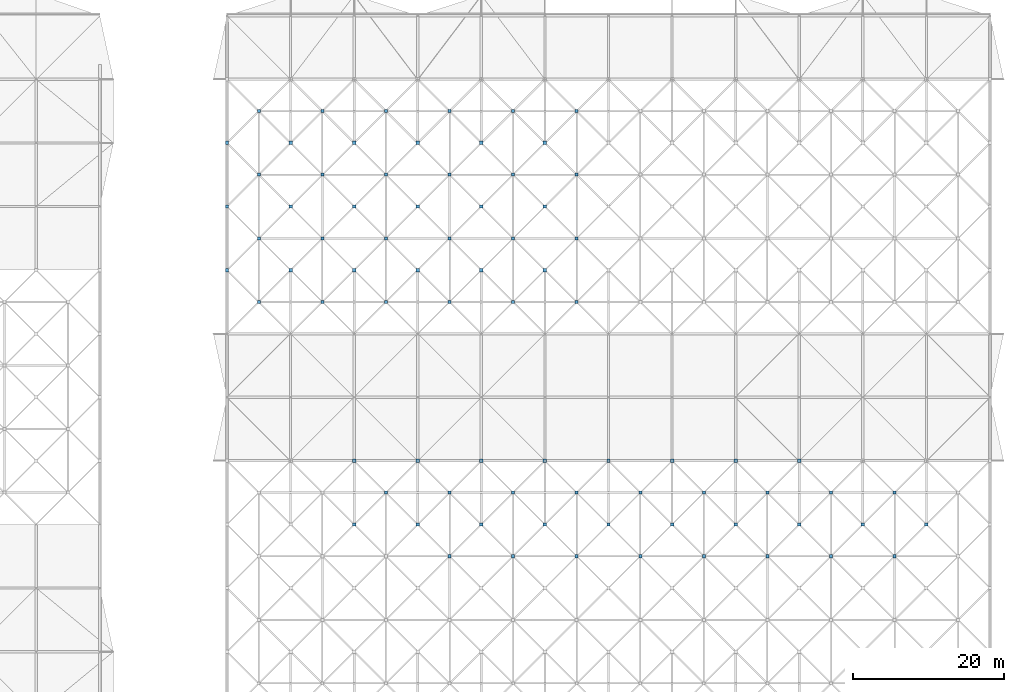
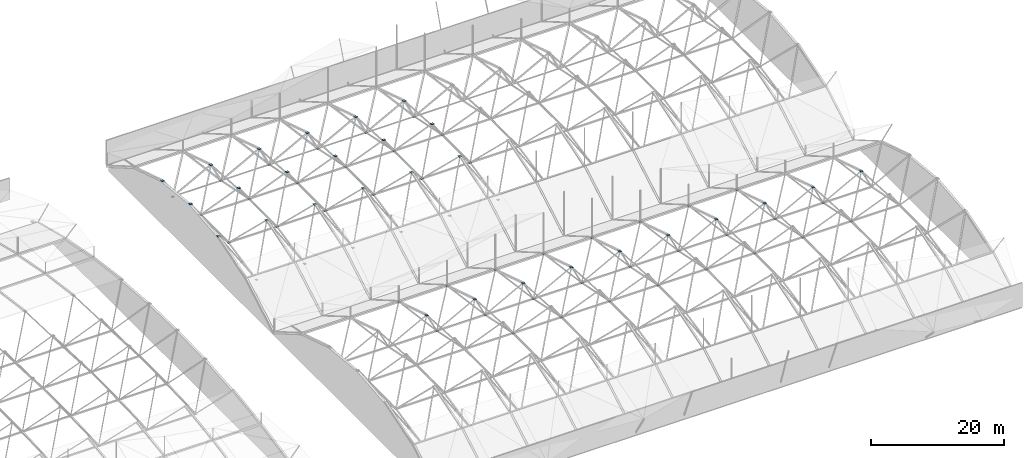
# One storey, part 106 of 111: 77 discrete accessories.
"""IFC4 building model written with IfcOpenShell, lengths in metres."""

from ifc_helpers import new_model, si_unit, direction, frame, origin, origin_2d, place, context, subcontext, project, spatial, rectangle, extrude, material, layer, layer_set, type_object, element, save


model = new_model("IFC4")

# Units and contexts
model_context = context("Model", 3, precision=1e-05, world=origin(), true_north=direction((0.0, 1.0)))
body_context = subcontext(model_context, "Body", "Model", "MODEL_VIEW")
ifc_project = project(units=[si_unit("LENGTHUNIT", "METRE"), si_unit("AREAUNIT", "SQUARE_METRE"), si_unit("VOLUMEUNIT", "CUBIC_METRE"), si_unit("PLANEANGLEUNIT", "RADIAN"), si_unit("MASSUNIT", "GRAM", prefix="KILO")], contexts=[model_context])

# Site, building, storey
site_placement = place(None, origin())
site = spatial("IfcSite", under=ifc_project, at=site_placement, CompositionType="ELEMENT")
building_placement = place(site_placement, origin())
building = spatial("IfcBuilding", under=site, at=building_placement, Name="Rain Tree Exposition and Congress Centre", CompositionType="ELEMENT")
storey_placement = place(building_placement, frame((0.0, 0.0, 19.5)))
storey = spatial("IfcBuildingStorey", under=building, at=storey_placement, Name="RF", CompositionType="ELEMENT", Elevation=19.5)

# Discrete accessories
ifc_material_1 = material(Name="Steel plate S355J2", Category="steel")
ifc_layer_1 = layer(ifc_material_1, 0.02001953125)
ifc_layer_set_1 = layer_set([ifc_layer_1], Name="Steel plate S355J2")
discrete_accessory_type_1 = type_object("IfcDiscreteAccessoryType", Name="Brace node plate 400x400x20", PredefinedType="BRACKET", material=ifc_layer_set_1)
for number, where, z_axis, x_axis, name in (
    (1, (172.199951171875, 130.199951171875, 2.678955078125), (0.0, 0.0, 1.0), (1.0, 0.0, 0.0), "Brace node plate 400"),
    (2, (180.60009765625, 130.199951171875, 2.678955078125), (0.0, 0.0, 1.0), (1.0, 0.0, 0.0), "Brace node plate 400"),
    (3, (189.0, 130.199951171875, 2.678955078125), (0.0, 0.0, 1.0), (1.0, 0.0, 0.0), "Brace node plate 400"),
    (4, (197.39990234375, 130.199951171875, 2.678955078125), (0.0, 0.0, 1.0), (1.0, 0.0, 0.0), "Brace node plate 400"),
    (5, (205.800048828125, 130.199951171875, 2.678955078125), (0.0, 0.0, 1.0), (1.0, 0.0, 0.0), "Brace node plate 400"),
    (6, (214.199951171875, 130.199951171875, 2.678955078125), (0.0, 0.0, 1.0), (1.0, 0.0, 0.0), "Brace node plate 400"),
    (7, (222.60009765625, 130.199951171875, 2.678955078125), (0.0, 0.0, 1.0), (1.0, 0.0, 0.0), "Brace node plate 400"),
    (8, (231.0, 130.199951171875, 2.678955078125), (0.0, 0.0, 1.0), (1.0, 0.0, 0.0), "Brace node plate 400"),
    (9, (163.800048828125, 138.60009765625, 0.955078125), (0.0, 0.0, 1.0), (1.0, 0.0, 0.0), "Brace node plate 400"),
    (10, (172.199951171875, 138.60009765625, 0.955078125), (0.0, 0.0, 1.0), (1.0, 0.0, 0.0), "Brace node plate 400"),
    (11, (180.60009765625, 138.60009765625, 0.955078125), (0.0, 0.0, 1.0), (1.0, 0.0, 0.0), "Brace node plate 400"),
    (12, (189.0, 138.60009765625, 0.955078125), (0.0, 0.0, 1.0), (1.0, 0.0, 0.0), "Brace node plate 400"),
    (13, (197.39990234375, 138.60009765625, 0.955078125), (0.0, 0.0, 1.0), (1.0, 0.0, 0.0), "Brace node plate 400"),
    (14, (205.800048828125, 138.60009765625, 0.955078125), (0.0, 0.0, 1.0), (1.0, 0.0, 0.0), "Brace node plate 400"),
    (15, (214.199951171875, 138.60009765625, 0.955078125), (0.0, 0.0, 1.0), (1.0, 0.0, 0.0), "Brace node plate 400"),
    (16, (222.60009765625, 138.60009765625, 0.955078125), (0.0, 0.0, 1.0), (1.0, 0.0, 0.0), "Brace node plate 400"),
    (17, (231.0, 138.60009765625, 0.955078125), (0.0, 0.0, 1.0), (1.0, 0.0, 0.0), "Brace node plate 400"),
    (18, (147.0, 163.800048828125, 0.955078125), (0.0, 0.0, 1.0), (1.0, 0.0, 0.0), "Brace node plate 400"),
    (19, (155.39990234375, 163.800048828125, 0.955078125), (0.0, 0.0, 1.0), (1.0, 0.0, 0.0), "Brace node plate 400"),
    (20, (163.800048828125, 163.800048828125, 0.955078125), (0.0, 0.0, 1.0), (1.0, 0.0, 0.0), "Brace node plate 400"),
    (21, (172.199951171875, 163.800048828125, 0.955078125), (0.0, 0.0, 1.0), (1.0, 0.0, 0.0), "Brace node plate 400"),
    (22, (180.60009765625, 163.800048828125, 0.955078125), (0.0, 0.0, 1.0), (1.0, 0.0, 0.0), "Brace node plate 400"),
    (23, (189.0, 163.800048828125, 0.955078125), (0.0, 0.0, 1.0), (1.0, 0.0, 0.0), "Brace node plate 400"),
    (24, (147.0, 172.199951171875, 2.678955078125), (0.0, 0.0, 1.0), (1.0, 0.0, 0.0), "Brace node plate 400"),
    (25, (155.39990234375, 172.199951171875, 2.678955078125), (0.0, 0.0, 1.0), (1.0, 0.0, 0.0), "Brace node plate 400"),
    (26, (163.800048828125, 172.199951171875, 2.678955078125), (0.0, 0.0, 1.0), (1.0, 0.0, 0.0), "Brace node plate 400"),
    (27, (172.199951171875, 172.199951171875, 2.678955078125), (0.0, 0.0, 1.0), (1.0, 0.0, 0.0), "Brace node plate 400"),
    (28, (180.60009765625, 172.199951171875, 2.678955078125), (0.0, 0.0, 1.0), (1.0, 0.0, 0.0), "Brace node plate 400"),
    (29, (189.0, 172.199951171875, 2.678955078125), (0.0, 0.0, 1.0), (1.0, 0.0, 0.0), "Brace node plate 400"),
    (30, (147.0, 180.60009765625, 2.678955078125), (0.0, 0.0, 1.0), (1.0, 0.0, 0.0), "Brace node plate 400"),
    (31, (155.39990234375, 180.60009765625, 2.678955078125), (0.0, 0.0, 1.0), (1.0, 0.0, 0.0), "Brace node plate 400"),
    (32, (163.800048828125, 180.60009765625, 2.678955078125), (0.0, 0.0, 1.0), (1.0, 0.0, 0.0), "Brace node plate 400"),
    (33, (172.199951171875, 180.60009765625, 2.678955078125), (0.0, 0.0, 1.0), (1.0, 0.0, 0.0), "Brace node plate 400"),
    (34, (180.60009765625, 180.60009765625, 2.678955078125), (0.0, 0.0, 1.0), (1.0, 0.0, 0.0), "Brace node plate 400"),
    (35, (189.0, 180.60009765625, 2.678955078125), (0.0, 0.0, 1.0), (1.0, 0.0, 0.0), "Brace node plate 400"),
    (36, (147.0, 189.0, 0.955078125), (0.0, 0.0, 1.0), (1.0, 0.0, 0.0), "Brace node plate 400"),
    (37, (155.39990234375, 189.0, 0.955078125), (0.0, 0.0, 1.0), (1.0, 0.0, 0.0), "Brace node plate 400"),
    (38, (163.800048828125, 189.0, 0.955078125), (0.0, 0.0, 1.0), (1.0, 0.0, 0.0), "Brace node plate 400"),
    (39, (172.199951171875, 189.0, 0.955078125), (0.0, 0.0, 1.0), (1.0, 0.0, 0.0), "Brace node plate 400"),
    (40, (180.60009765625, 189.0, 0.955078125), (0.0, 0.0, 1.0), (1.0, 0.0, 0.0), "Brace node plate 400"),
    (41, (189.0, 189.0, 0.955078125), (0.0, 0.0, 1.0), (1.0, 0.0, 0.0), "Brace node plate 400"),
):
    element("IfcDiscreteAccessory", number, at=place(storey_placement, frame(where, z_axis=z_axis, x_axis=x_axis)), inside=storey, type_object=discrete_accessory_type_1, Name=name, PredefinedType="BRACKET", context=body_context, shape_type="SweptSolid", body=[
        extrude(rectangle(XDim=0.39990234375, YDim=0.39990234375, at=origin_2d()), origin(), (0.0, 0.0, 1.0), 0.02001953125),
    ])
ifc_material_2 = material(Name="Steel plate S355J2", Category="steel")
ifc_layer_2 = layer(ifc_material_2, 0.02001953125)
ifc_layer_set_2 = layer_set([ifc_layer_2], Name="Steel plate S355J2")
discrete_accessory_type_2 = type_object("IfcDiscreteAccessoryType", Name="Brace node plate 450x450x20", PredefinedType="BRACKET", material=ifc_layer_set_2)
for number, where, z_axis, x_axis, name in (
    (42, (159.60009765625, 134.39990234375, 7.890869140625), (0.0, 0.0, 1.0), (1.0, 0.0, 0.0), "Brace node plate 450"),
    (43, (168.0, 134.39990234375, 7.890869140625), (0.0, 0.0, 1.0), (1.0, 0.0, 0.0), "Brace node plate 450"),
    (44, (176.39990234375, 134.39990234375, 7.890869140625), (0.0, 0.0, 1.0), (1.0, 0.0, 0.0), "Brace node plate 450"),
    (45, (184.800048828125, 134.39990234375, 7.890869140625), (0.0, 0.0, 1.0), (1.0, 0.0, 0.0), "Brace node plate 450"),
    (46, (193.199951171875, 134.39990234375, 7.890869140625), (0.0, 0.0, 1.0), (1.0, 0.0, 0.0), "Brace node plate 450"),
    (47, (201.60009765625, 134.39990234375, 7.890869140625), (0.0, 0.0, 1.0), (1.0, 0.0, 0.0), "Brace node plate 450"),
    (48, (210.0, 134.39990234375, 7.890869140625), (0.0, 0.0, 1.0), (1.0, 0.0, 0.0), "Brace node plate 450"),
    (49, (218.39990234375, 134.39990234375, 7.890869140625), (0.0, 0.0, 1.0), (1.0, 0.0, 0.0), "Brace node plate 450"),
    (50, (226.800048828125, 134.39990234375, 7.890869140625), (0.0, 0.0, 1.0), (1.0, 0.0, 0.0), "Brace node plate 450"),
    (51, (235.199951171875, 134.39990234375, 7.890869140625), (0.0, 0.0, 1.0), (1.0, 0.0, 0.0), "Brace node plate 450"),
    (52, (159.60009765625, 142.800048828125, 5.23388671875), (0.0, 0.0, 1.0), (1.0, 0.0, 0.0), "Brace node plate 450"),
    (53, (168.0, 142.800048828125, 5.23388671875), (0.0, 0.0, 1.0), (1.0, 0.0, 0.0), "Brace node plate 450"),
    (54, (176.39990234375, 142.800048828125, 5.23388671875), (0.0, 0.0, 1.0), (1.0, 0.0, 0.0), "Brace node plate 450"),
    (55, (184.800048828125, 142.800048828125, 5.23388671875), (0.0, 0.0, 1.0), (1.0, 0.0, 0.0), "Brace node plate 450"),
    (56, (193.199951171875, 142.800048828125, 5.23388671875), (0.0, 0.0, 1.0), (1.0, 0.0, 0.0), "Brace node plate 450"),
    (57, (201.60009765625, 142.800048828125, 5.23388671875), (0.0, 0.0, 1.0), (1.0, 0.0, 0.0), "Brace node plate 450"),
    (58, (210.0, 142.800048828125, 5.23388671875), (0.0, 0.0, 1.0), (1.0, 0.0, 0.0), "Brace node plate 450"),
    (59, (218.39990234375, 142.800048828125, 5.23388671875), (0.0, 0.0, 1.0), (1.0, 0.0, 0.0), "Brace node plate 450"),
    (60, (142.800048828125, 168.0, 7.890869140625), (0.0, 0.0, 1.0), (1.0, 0.0, 0.0), "Brace node plate 450"),
    (61, (151.199951171875, 168.0, 7.890869140625), (0.0, 0.0, 1.0), (1.0, 0.0, 0.0), "Brace node plate 450"),
    (62, (159.60009765625, 168.0, 7.890869140625), (0.0, 0.0, 1.0), (1.0, 0.0, 0.0), "Brace node plate 450"),
    (63, (168.0, 168.0, 7.890869140625), (0.0, 0.0, 1.0), (1.0, 0.0, 0.0), "Brace node plate 450"),
    (64, (176.39990234375, 168.0, 7.890869140625), (0.0, 0.0, 1.0), (1.0, 0.0, 0.0), "Brace node plate 450"),
    (65, (184.800048828125, 168.0, 7.890869140625), (0.0, 0.0, 1.0), (1.0, 0.0, 0.0), "Brace node plate 450"),
    (66, (142.800048828125, 176.39990234375, 8.739990234375), (0.0, 0.0, 1.0), (1.0, 0.0, 0.0), "Brace node plate 450"),
    (67, (151.199951171875, 176.39990234375, 8.739990234375), (0.0, 0.0, 1.0), (1.0, 0.0, 0.0), "Brace node plate 450"),
    (68, (159.60009765625, 176.39990234375, 8.739990234375), (0.0, 0.0, 1.0), (1.0, 0.0, 0.0), "Brace node plate 450"),
    (69, (168.0, 176.39990234375, 8.739990234375), (0.0, 0.0, 1.0), (1.0, 0.0, 0.0), "Brace node plate 450"),
    (70, (176.39990234375, 176.39990234375, 8.739990234375), (0.0, 0.0, 1.0), (1.0, 0.0, 0.0), "Brace node plate 450"),
    (71, (184.800048828125, 176.39990234375, 8.739990234375), (0.0, 0.0, 1.0), (1.0, 0.0, 0.0), "Brace node plate 450"),
    (72, (142.800048828125, 184.800048828125, 7.890869140625), (0.0, 0.0, 1.0), (1.0, 0.0, 0.0), "Brace node plate 450"),
    (73, (151.199951171875, 184.800048828125, 7.890869140625), (0.0, 0.0, 1.0), (1.0, 0.0, 0.0), "Brace node plate 450"),
    (74, (159.60009765625, 184.800048828125, 7.890869140625), (0.0, 0.0, 1.0), (1.0, 0.0, 0.0), "Brace node plate 450"),
    (75, (168.0, 184.800048828125, 7.890869140625), (0.0, 0.0, 1.0), (1.0, 0.0, 0.0), "Brace node plate 450"),
    (76, (176.39990234375, 184.800048828125, 7.890869140625), (0.0, 0.0, 1.0), (1.0, 0.0, 0.0), "Brace node plate 450"),
    (77, (184.800048828125, 184.800048828125, 7.890869140625), (0.0, 0.0, 1.0), (1.0, 0.0, 0.0), "Brace node plate 450"),
):
    element("IfcDiscreteAccessory", number, at=place(storey_placement, frame(where, z_axis=z_axis, x_axis=x_axis)), inside=storey, type_object=discrete_accessory_type_2, Name=name, PredefinedType="BRACKET", context=body_context, shape_type="SweptSolid", body=[
        extrude(rectangle(XDim=0.449951171875, YDim=0.449951171875, at=origin_2d()), origin(), (0.0, 0.0, 1.0), 0.02001953125),
    ])

save(model, "model.ifc")
